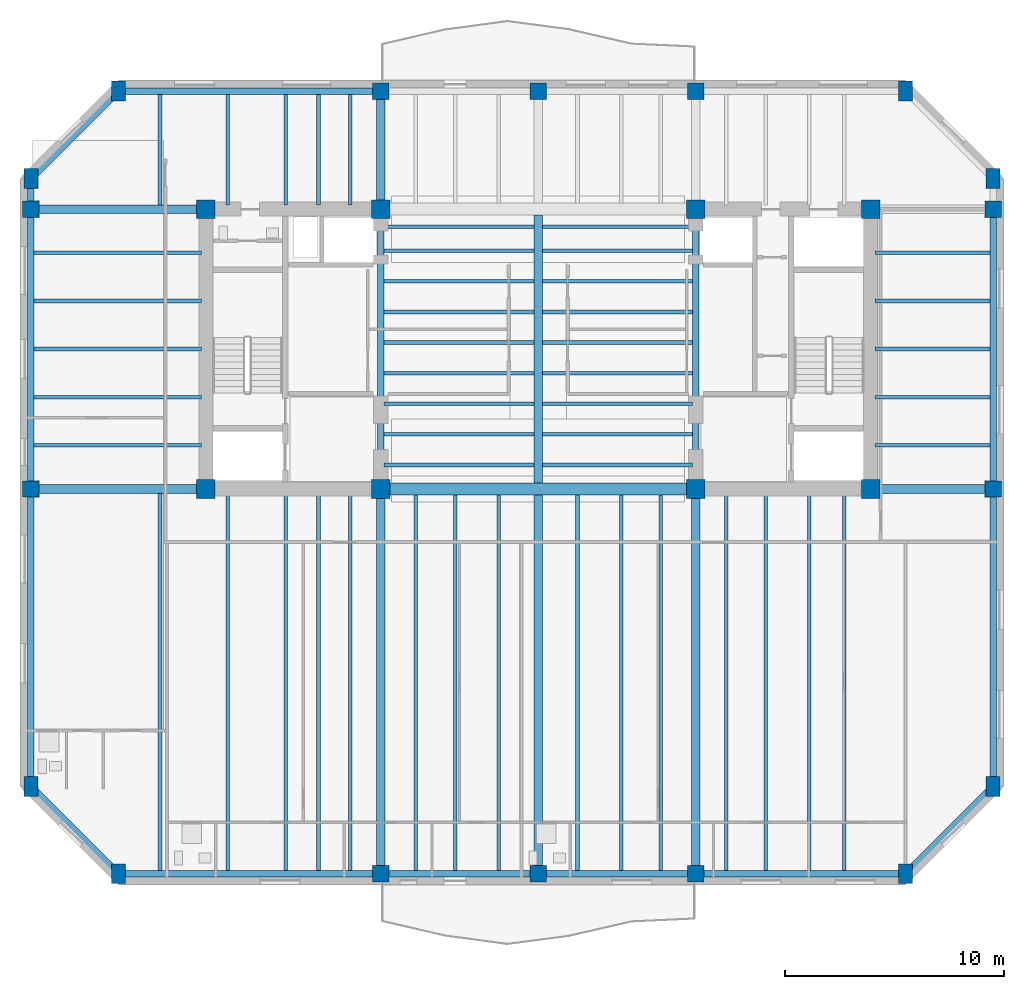
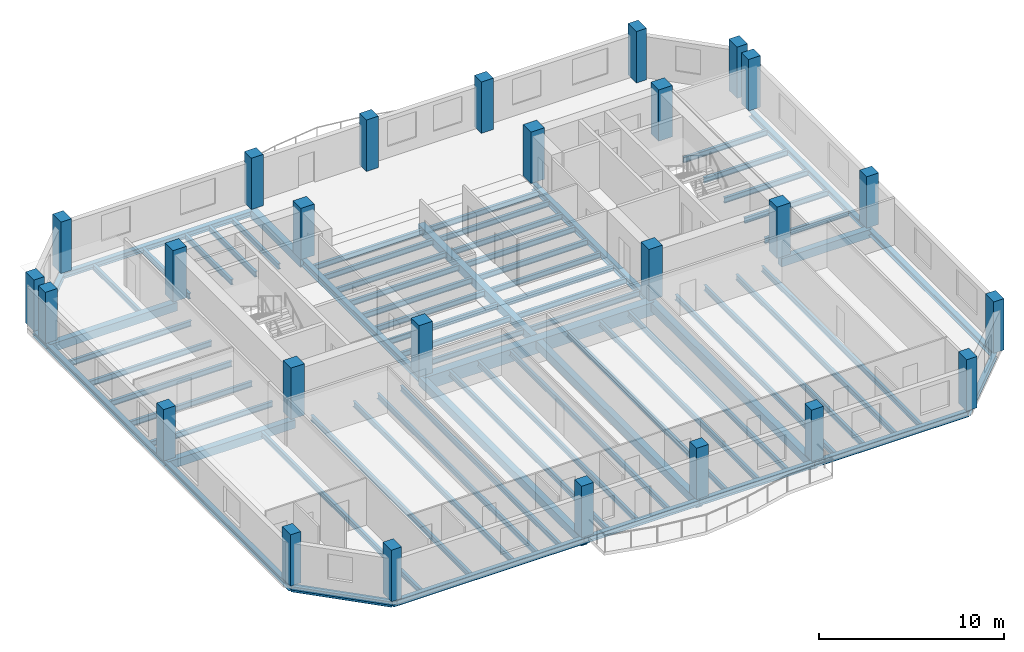
# One storey, part 1 of 11: 72 beams, 26 columns.
"""IFC4 building model written with IfcOpenShell, lengths in metres."""

from ifc_helpers import new_model, si_unit, direction, frame, origin, origin_2d, place, context, subcontext, project, spatial, rectangle, i_section, extrude, material, material_profile, profile_set, type_object, element, save


model = new_model("IFC4")

# Units and contexts
model_context = context("Model", 3, precision=1e-05, world=origin(), true_north=direction((0.0, 1.0)))
body_context = subcontext(model_context, "Body", "Model", "MODEL_VIEW")
ifc_project = project(units=[si_unit("LENGTHUNIT", "METRE"), si_unit("AREAUNIT", "SQUARE_METRE"), si_unit("VOLUMEUNIT", "CUBIC_METRE"), si_unit("PLANEANGLEUNIT", "RADIAN"), si_unit("MASSUNIT", "GRAM", prefix="KILO")], contexts=[model_context])

# Site, building, storey
site_placement = place(None, origin())
site = spatial("IfcSite", under=ifc_project, at=site_placement, CompositionType="ELEMENT")
building_placement = place(site_placement, origin())
building = spatial("IfcBuilding", under=site, at=building_placement, Name="Kranthara Brick Stack", CompositionType="ELEMENT")
storey_placement = place(building_placement, frame((0.0, 0.0, 210.89990234375)))
storey = spatial("IfcBuildingStorey", under=building, at=storey_placement, Name="L54", CompositionType="ELEMENT", Elevation=210.89990234375)

# Columns
ifc_material_1 = material(Name="Concrete C50/60", Category="concrete")
ifc_material_profile_1 = material_profile(ifc_material_1, rectangle(XDim=0.64990234375, YDim=0.89990234375, at=origin_2d()), Name="RC 650x900")
ifc_profile_set_1 = profile_set([ifc_material_profile_1], Name="Concrete C50/60")
column_type_1 = type_object("IfcColumnType", Name="COL-CHAM-650x900", PredefinedType="COLUMN", material=ifc_profile_set_1)
for number, where, z_axis, x_axis, name in (
    (1, (8.800048828125, 3.199951171875, 0.0), (0.0, 0.0, 1.0), (1.0, 0.0, 0.0), "L54 Column 09"),
    (2, (8.800048828125, 39.0, 0.0), (0.0, 0.0, 1.0), (1.0, 0.0, 0.0), "L54 Column 10"),
    (3, (44.800048828125, 3.199951171875, 0.0), (0.0, 0.0, 1.0), (1.0, 0.0, 0.0), "L54 Column 17"),
    (4, (44.800048828125, 39.0, 0.0), (0.0, 0.0, 1.0), (1.0, 0.0, 0.0), "L54 Column 18"),
    (5, (4.800048828125, 7.199951171875, 0.0), (0.0, 0.0, 1.0), (1.0, 0.0, 0.0), "L54 Column 19"),
    (6, (48.800048828125, 7.199951171875, 0.0), (0.0, 0.0, 1.0), (1.0, 0.0, 0.0), "L54 Column 20"),
    (7, (4.800048828125, 35.0, 0.0), (0.0, 0.0, 1.0), (1.0, 0.0, 0.0), "L54 Column 25"),
    (8, (48.800048828125, 35.0, 0.0), (0.0, 0.0, 1.0), (1.0, 0.0, 0.0), "L54 Column 26"),
):
    element("IfcColumn", number, at=place(storey_placement, frame(where, z_axis=z_axis, x_axis=x_axis)), inside=storey, type_object=column_type_1, Name=name, PredefinedType="COLUMN", context=body_context, shape_type="SweptSolid", body=[
        extrude(rectangle(XDim=0.64990234375, YDim=0.89990234375, at=origin_2d()), origin(), (0.0, 0.0, 1.0), 3.400146484375),
    ])
ifc_material_2 = material(Name="Concrete C50/60", Category="concrete")
ifc_material_profile_2 = material_profile(ifc_material_2, rectangle(XDim=0.85009765625, YDim=0.85009765625, at=origin_2d()), Name="RC 850x850")
ifc_profile_set_2 = profile_set([ifc_material_profile_2], Name="Concrete C50/60")
column_type_2 = type_object("IfcColumnType", Name="COL-CORE-850", PredefinedType="COLUMN", material=ifc_profile_set_2)
for number, where, z_axis, x_axis, name in (
    (9, (12.800048828125, 20.800048828125, 0.0), (0.0, 0.0, 1.0), (1.0, 0.0, 0.0), "L54 Column 01"),
    (10, (20.800048828125, 20.800048828125, 0.0), (0.0, 0.0, 1.0), (1.0, 0.0, 0.0), "L54 Column 02"),
    (11, (12.800048828125, 33.60009765625, 0.0), (0.0, 0.0, 1.0), (1.0, 0.0, 0.0), "L54 Column 03"),
    (12, (20.800048828125, 33.60009765625, 0.0), (0.0, 0.0, 1.0), (1.0, 0.0, 0.0), "L54 Column 04"),
    (13, (35.199951171875, 20.800048828125, 0.0), (0.0, 0.0, 1.0), (1.0, 0.0, 0.0), "L54 Column 05"),
    (14, (43.199951171875, 20.800048828125, 0.0), (0.0, 0.0, 1.0), (1.0, 0.0, 0.0), "L54 Column 06"),
    (15, (35.199951171875, 33.60009765625, 0.0), (0.0, 0.0, 1.0), (1.0, 0.0, 0.0), "L54 Column 07"),
    (16, (43.199951171875, 33.60009765625, 0.0), (0.0, 0.0, 1.0), (1.0, 0.0, 0.0), "L54 Column 08"),
):
    element("IfcColumn", number, at=place(storey_placement, frame(where, z_axis=z_axis, x_axis=x_axis)), inside=storey, type_object=column_type_2, Name=name, PredefinedType="COLUMN", context=body_context, shape_type="SweptSolid", body=[
        extrude(rectangle(XDim=0.85009765625, YDim=0.85009765625, at=origin_2d()), origin(), (0.0, 0.0, 1.0), 3.400146484375),
    ])
ifc_material_3 = material(Name="Concrete C50/60", Category="concrete")
ifc_material_profile_3 = material_profile(ifc_material_3, rectangle(XDim=0.75, YDim=0.75, at=origin_2d()), Name="RC 750x750")
ifc_profile_set_3 = profile_set([ifc_material_profile_3], Name="Concrete C50/60")
column_type_3 = type_object("IfcColumnType", Name="COL-PER-750", PredefinedType="COLUMN", material=ifc_profile_set_3)
for number, where, z_axis, x_axis, name in (
    (17, (20.800048828125, 3.199951171875, 0.0), (0.0, 0.0, 1.0), (1.0, 0.0, 0.0), "L54 Column 11"),
    (18, (20.800048828125, 39.0, 0.0), (0.0, 0.0, 1.0), (1.0, 0.0, 0.0), "L54 Column 12"),
    (19, (28.0, 3.199951171875, 0.0), (0.0, 0.0, 1.0), (1.0, 0.0, 0.0), "L54 Column 13"),
    (20, (28.0, 39.0, 0.0), (0.0, 0.0, 1.0), (1.0, 0.0, 0.0), "L54 Column 14"),
    (21, (35.199951171875, 3.199951171875, 0.0), (0.0, 0.0, 1.0), (1.0, 0.0, 0.0), "L54 Column 15"),
    (22, (35.199951171875, 39.0, 0.0), (0.0, 0.0, 1.0), (1.0, 0.0, 0.0), "L54 Column 16"),
    (23, (4.800048828125, 20.800048828125, 0.0), (0.0, 0.0, 1.0), (1.0, 0.0, 0.0), "L54 Column 21"),
    (24, (48.800048828125, 20.800048828125, 0.0), (0.0, 0.0, 1.0), (1.0, 0.0, 0.0), "L54 Column 22"),
    (25, (4.800048828125, 33.60009765625, 0.0), (0.0, 0.0, 1.0), (1.0, 0.0, 0.0), "L54 Column 23"),
    (26, (48.800048828125, 33.60009765625, 0.0), (0.0, 0.0, 1.0), (1.0, 0.0, 0.0), "L54 Column 24"),
):
    element("IfcColumn", number, at=place(storey_placement, frame(where, z_axis=z_axis, x_axis=x_axis)), inside=storey, type_object=column_type_3, Name=name, PredefinedType="COLUMN", context=body_context, shape_type="SweptSolid", body=[
        extrude(rectangle(XDim=0.75, YDim=0.75, at=origin_2d()), origin(), (0.0, 0.0, 1.0), 3.400146484375),
    ])

# Beams
ifc_material_4 = material(Name="Concrete C50/60", Category="concrete")
ifc_material_profile_4 = material_profile(ifc_material_4, rectangle(XDim=0.550048828125, YDim=0.85009765625, at=origin_2d()), Name="RC 550x850")
ifc_profile_set_4 = profile_set([ifc_material_profile_4], Name="Concrete C50/60")
beam_type_1 = type_object("IfcBeamType", Name="BM-CPL-RC850", PredefinedType="LINTEL", material=ifc_profile_set_4)
beam_1_placement = place(storey_placement, frame((20.800048828125, 20.800048828125, -0.724853515625), z_axis=(1.0, 0.0, 0.0), x_axis=(0.0, 1.0, 0.0)))
element("IfcBeam", 27, at=beam_1_placement, inside=storey, type_object=beam_type_1, Name="L54 Core Coupling Beam 001", PredefinedType="LINTEL", context=body_context, shape_type="SweptSolid", body=[
    extrude(rectangle(XDim=0.550048828125, YDim=0.85009765625, at=origin_2d()), origin(), (0.0, 0.0, 1.0), 14.39990234375),
])
ifc_material_5 = material(Name="Post-tensioned concrete C45/55", Category="concrete")
ifc_material_profile_5 = material_profile(ifc_material_5, rectangle(XDim=0.39990234375, YDim=0.550048828125, at=origin_2d()), Name="PT 400x550")
ifc_profile_set_5 = profile_set([ifc_material_profile_5], Name="Post-tensioned concrete C45/55")
beam_type_2 = type_object("IfcBeamType", Name="BM-FLR-PT550", PredefinedType="BEAM", material=ifc_profile_set_5)
beam_2_placement = place(storey_placement, frame((20.800048828125, 3.199951171875, -0.574951171875), z_axis=(0.0, 1.0, 0.0), x_axis=(-1.0, 0.0, 0.0)))
element("IfcBeam", 28, at=beam_2_placement, inside=storey, type_object=beam_type_2, Name="L54 Primary Grid Girder 023", PredefinedType="BEAM", context=body_context, shape_type="SweptSolid", body=[
    extrude(rectangle(XDim=0.39990234375, YDim=0.550048828125, at=origin_2d()), origin(), (0.0, 0.0, 1.0), 17.60009765625),
])
beam_3_placement = place(storey_placement, frame((20.800048828125, 33.60009765625, -0.574951171875), z_axis=(0.0, 1.0, 0.0), x_axis=(-1.0, 0.0, 0.0)))
element("IfcBeam", 29, at=beam_3_placement, inside=storey, type_object=beam_type_2, Name="L54 Primary Grid Girder 024", PredefinedType="BEAM", context=body_context, shape_type="SweptSolid", body=[
    extrude(rectangle(XDim=0.39990234375, YDim=0.550048828125, at=origin_2d()), origin(), (0.0, 0.0, 1.0), 5.39990234375),
])
beam_4_placement = place(storey_placement, frame((28.0, 3.199951171875, -0.574951171875), z_axis=(0.0, 1.0, 0.0), x_axis=(-1.0, 0.0, 0.0)))
element("IfcBeam", 30, at=beam_4_placement, inside=storey, type_object=beam_type_2, Name="L54 Primary Grid Girder 025", PredefinedType="BEAM", context=body_context, shape_type="SweptSolid", body=[
    extrude(rectangle(XDim=0.39990234375, YDim=0.550048828125, at=origin_2d()), origin(), (0.0, 0.0, 1.0), 17.324951171875),
])
beam_5_placement = place(storey_placement, frame((28.0, 21.074951171875, -0.574951171875), z_axis=(0.0, 1.0, 0.0), x_axis=(-1.0, 0.0, 0.0)))
element("IfcBeam", 31, at=beam_5_placement, inside=storey, type_object=beam_type_2, Name="L54 Central Spine Girder 026", PredefinedType="BEAM", context=body_context, shape_type="SweptSolid", body=[
    extrude(rectangle(XDim=0.39990234375, YDim=0.550048828125, at=origin_2d()), origin(), (0.0, 0.0, 1.0), 12.25),
])
beam_6_placement = place(storey_placement, frame((35.199951171875, 3.199951171875, -0.574951171875), z_axis=(0.0, 1.0, 0.0), x_axis=(-1.0, 0.0, 0.0)))
element("IfcBeam", 32, at=beam_6_placement, inside=storey, type_object=beam_type_2, Name="L54 Primary Grid Girder 028", PredefinedType="BEAM", context=body_context, shape_type="SweptSolid", body=[
    extrude(rectangle(XDim=0.39990234375, YDim=0.550048828125, at=origin_2d()), origin(), (0.0, 0.0, 1.0), 17.60009765625),
])
beam_7_placement = place(storey_placement, frame((4.800048828125, 20.800048828125, -0.574951171875), z_axis=(1.0, 0.0, 0.0), x_axis=(0.0, 1.0, 0.0)))
element("IfcBeam", 33, at=beam_7_placement, inside=storey, type_object=beam_type_2, Name="L54 Primary Grid Girder 030", PredefinedType="BEAM", context=body_context, shape_type="SweptSolid", body=[
    extrude(rectangle(XDim=0.39990234375, YDim=0.550048828125, at=origin_2d()), origin(), (0.0, 0.0, 1.0), 8.0),
])
beam_8_placement = place(storey_placement, frame((43.199951171875, 20.800048828125, -0.574951171875), z_axis=(1.0, 0.0, 0.0), x_axis=(0.0, 1.0, 0.0)))
element("IfcBeam", 34, at=beam_8_placement, inside=storey, type_object=beam_type_2, Name="L54 Primary Grid Girder 031", PredefinedType="BEAM", context=body_context, shape_type="SweptSolid", body=[
    extrude(rectangle(XDim=0.39990234375, YDim=0.550048828125, at=origin_2d()), origin(), (0.0, 0.0, 1.0), 5.60009765625),
])
beam_9_placement = place(storey_placement, frame((4.800048828125, 33.60009765625, -0.574951171875), z_axis=(1.0, 0.0, 0.0), x_axis=(0.0, 1.0, 0.0)))
element("IfcBeam", 35, at=beam_9_placement, inside=storey, type_object=beam_type_2, Name="L54 Primary Grid Girder 032", PredefinedType="BEAM", context=body_context, shape_type="SweptSolid", body=[
    extrude(rectangle(XDim=0.39990234375, YDim=0.550048828125, at=origin_2d()), origin(), (0.0, 0.0, 1.0), 8.0),
])
ifc_material_6 = material(Name="Steel S355", Category="steel")
ifc_material_profile_6 = material_profile(ifc_material_6, i_section(OverallWidth=0.169921875, OverallDepth=0.360107421875, WebThickness=0.008056640625, FlangeThickness=0.0126953125, at=origin_2d()), Name="IPE 360")
ifc_profile_set_6 = profile_set([ifc_material_profile_6], Name="Steel S355")
beam_type_3 = type_object("IfcBeamType", Name="BM-JST-IPE360", PredefinedType="JOIST", material=ifc_profile_set_6)
for number, where, z_axis, x_axis, name in (
    (36, (20.949951171875, 21.89990234375, -0.47998046875), (1.0, 0.0, 0.0), (0.0, 1.0, 0.0), "L54 Central Floor Joist 034"),
    (37, (28.199951171875, 21.89990234375, -0.47998046875), (1.0, 0.0, 0.0), (0.0, 1.0, 0.0), "L54 Central Floor Joist 035"),
    (38, (20.949951171875, 23.300048828125, -0.47998046875), (1.0, 0.0, 0.0), (0.0, 1.0, 0.0), "L54 Central Floor Joist 036"),
    (39, (28.199951171875, 23.300048828125, -0.47998046875), (1.0, 0.0, 0.0), (0.0, 1.0, 0.0), "L54 Central Floor Joist 037"),
    (40, (20.949951171875, 24.699951171875, -0.47998046875), (1.0, 0.0, 0.0), (0.0, 1.0, 0.0), "L54 Central Floor Joist 038"),
    (41, (28.199951171875, 24.699951171875, -0.47998046875), (1.0, 0.0, 0.0), (0.0, 1.0, 0.0), "L54 Central Floor Joist 039"),
    (42, (20.949951171875, 26.10009765625, -0.47998046875), (1.0, 0.0, 0.0), (0.0, 1.0, 0.0), "L54 Central Floor Joist 040"),
    (43, (28.199951171875, 26.10009765625, -0.47998046875), (1.0, 0.0, 0.0), (0.0, 1.0, 0.0), "L54 Central Floor Joist 041"),
    (44, (20.949951171875, 27.5, -0.47998046875), (1.0, 0.0, 0.0), (0.0, 1.0, 0.0), "L54 Central Floor Joist 042"),
    (45, (28.199951171875, 27.5, -0.47998046875), (1.0, 0.0, 0.0), (0.0, 1.0, 0.0), "L54 Central Floor Joist 043"),
    (46, (20.949951171875, 28.89990234375, -0.47998046875), (1.0, 0.0, 0.0), (0.0, 1.0, 0.0), "L54 Central Floor Joist 044"),
    (47, (28.199951171875, 28.89990234375, -0.47998046875), (1.0, 0.0, 0.0), (0.0, 1.0, 0.0), "L54 Central Floor Joist 045"),
    (48, (20.949951171875, 30.300048828125, -0.47998046875), (1.0, 0.0, 0.0), (0.0, 1.0, 0.0), "L54 Central Floor Joist 046"),
    (49, (28.199951171875, 30.300048828125, -0.47998046875), (1.0, 0.0, 0.0), (0.0, 1.0, 0.0), "L54 Central Floor Joist 047"),
    (50, (20.949951171875, 31.699951171875, -0.47998046875), (1.0, 0.0, 0.0), (0.0, 1.0, 0.0), "L54 Central Floor Joist 048"),
    (51, (28.199951171875, 31.699951171875, -0.47998046875), (1.0, 0.0, 0.0), (0.0, 1.0, 0.0), "L54 Central Floor Joist 049"),
    (52, (20.949951171875, 32.800048828125, -0.47998046875), (1.0, 0.0, 0.0), (0.0, 1.0, 0.0), "L54 Central Floor Joist 050"),
    (53, (28.199951171875, 32.800048828125, -0.47998046875), (1.0, 0.0, 0.0), (0.0, 1.0, 0.0), "L54 Central Floor Joist 051"),
):
    element("IfcBeam", number, at=place(storey_placement, frame(where, z_axis=z_axis, x_axis=x_axis)), inside=storey, type_object=beam_type_3, Name=name, PredefinedType="JOIST", context=body_context, shape_type="SweptSolid", body=[
        extrude(i_section(OverallWidth=0.169921875, OverallDepth=0.360107421875, WebThickness=0.008056640625, FlangeThickness=0.0126953125, at=origin_2d()), origin(), (0.0, 0.0, 1.0), 6.85009765625),
    ])
beam_10_placement = place(storey_placement, frame((10.699951171875, 3.35009765625, -0.47998046875), z_axis=(0.0, 1.0, 0.0), x_axis=(-1.0, 0.0, 0.0)))
element("IfcBeam", 54, at=beam_10_placement, inside=storey, type_object=beam_type_3, Name="L54 South Wing Floor Joist 052", PredefinedType="JOIST", context=body_context, shape_type="SweptSolid", body=[
    extrude(i_section(OverallWidth=0.169921875, OverallDepth=0.360107421875, WebThickness=0.008056640625, FlangeThickness=0.0126953125, at=origin_2d()), origin(), (0.0, 0.0, 1.0), 17.25),
])
beam_11_placement = place(storey_placement, frame((10.699951171875, 33.800048828125, -0.47998046875), z_axis=(0.0, 1.0, 0.0), x_axis=(-1.0, 0.0, 0.0)))
element("IfcBeam", 55, at=beam_11_placement, inside=storey, type_object=beam_type_3, Name="L54 North Wing Floor Joist 053", PredefinedType="JOIST", context=body_context, shape_type="SweptSolid", body=[
    extrude(i_section(OverallWidth=0.169921875, OverallDepth=0.360107421875, WebThickness=0.008056640625, FlangeThickness=0.0126953125, at=origin_2d()), origin(), (0.0, 0.0, 1.0), 5.050048828125),
])
beam_12_placement = place(storey_placement, frame((13.800048828125, 3.35009765625, -0.47998046875), z_axis=(0.0, 1.0, 0.0), x_axis=(-1.0, 0.0, 0.0)))
element("IfcBeam", 56, at=beam_12_placement, inside=storey, type_object=beam_type_3, Name="L54 South Wing Floor Joist 054", PredefinedType="JOIST", context=body_context, shape_type="SweptSolid", body=[
    extrude(i_section(OverallWidth=0.169921875, OverallDepth=0.360107421875, WebThickness=0.008056640625, FlangeThickness=0.0126953125, at=origin_2d()), origin(), (0.0, 0.0, 1.0), 17.25),
])
beam_13_placement = place(storey_placement, frame((13.800048828125, 33.800048828125, -0.47998046875), z_axis=(0.0, 1.0, 0.0), x_axis=(-1.0, 0.0, 0.0)))
element("IfcBeam", 57, at=beam_13_placement, inside=storey, type_object=beam_type_3, Name="L54 North Wing Floor Joist 055", PredefinedType="JOIST", context=body_context, shape_type="SweptSolid", body=[
    extrude(i_section(OverallWidth=0.169921875, OverallDepth=0.360107421875, WebThickness=0.008056640625, FlangeThickness=0.0126953125, at=origin_2d()), origin(), (0.0, 0.0, 1.0), 5.050048828125),
])
beam_14_placement = place(storey_placement, frame((16.449951171875, 3.35009765625, -0.47998046875), z_axis=(0.0, 1.0, 0.0), x_axis=(-1.0, 0.0, 0.0)))
element("IfcBeam", 58, at=beam_14_placement, inside=storey, type_object=beam_type_3, Name="L54 South Wing Floor Joist 056", PredefinedType="JOIST", context=body_context, shape_type="SweptSolid", body=[
    extrude(i_section(OverallWidth=0.169921875, OverallDepth=0.360107421875, WebThickness=0.008056640625, FlangeThickness=0.0126953125, at=origin_2d()), origin(), (0.0, 0.0, 1.0), 17.25),
])
beam_15_placement = place(storey_placement, frame((16.449951171875, 33.800048828125, -0.47998046875), z_axis=(0.0, 1.0, 0.0), x_axis=(-1.0, 0.0, 0.0)))
element("IfcBeam", 59, at=beam_15_placement, inside=storey, type_object=beam_type_3, Name="L54 North Wing Floor Joist 057", PredefinedType="JOIST", context=body_context, shape_type="SweptSolid", body=[
    extrude(i_section(OverallWidth=0.169921875, OverallDepth=0.360107421875, WebThickness=0.008056640625, FlangeThickness=0.0126953125, at=origin_2d()), origin(), (0.0, 0.0, 1.0), 5.050048828125),
])
beam_16_placement = place(storey_placement, frame((17.949951171875, 3.35009765625, -0.47998046875), z_axis=(0.0, 1.0, 0.0), x_axis=(-1.0, 0.0, 0.0)))
element("IfcBeam", 60, at=beam_16_placement, inside=storey, type_object=beam_type_3, Name="L54 South Wing Floor Joist 058", PredefinedType="JOIST", context=body_context, shape_type="SweptSolid", body=[
    extrude(i_section(OverallWidth=0.169921875, OverallDepth=0.360107421875, WebThickness=0.008056640625, FlangeThickness=0.0126953125, at=origin_2d()), origin(), (0.0, 0.0, 1.0), 17.25),
])
beam_17_placement = place(storey_placement, frame((17.949951171875, 33.800048828125, -0.47998046875), z_axis=(0.0, 1.0, 0.0), x_axis=(-1.0, 0.0, 0.0)))
element("IfcBeam", 61, at=beam_17_placement, inside=storey, type_object=beam_type_3, Name="L54 North Wing Floor Joist 059", PredefinedType="JOIST", context=body_context, shape_type="SweptSolid", body=[
    extrude(i_section(OverallWidth=0.169921875, OverallDepth=0.360107421875, WebThickness=0.008056640625, FlangeThickness=0.0126953125, at=origin_2d()), origin(), (0.0, 0.0, 1.0), 5.050048828125),
])
beam_18_placement = place(storey_placement, frame((19.39990234375, 3.35009765625, -0.47998046875), z_axis=(0.0, 1.0, 0.0), x_axis=(-1.0, 0.0, 0.0)))
element("IfcBeam", 62, at=beam_18_placement, inside=storey, type_object=beam_type_3, Name="L54 South Wing Floor Joist 060", PredefinedType="JOIST", context=body_context, shape_type="SweptSolid", body=[
    extrude(i_section(OverallWidth=0.169921875, OverallDepth=0.360107421875, WebThickness=0.008056640625, FlangeThickness=0.0126953125, at=origin_2d()), origin(), (0.0, 0.0, 1.0), 17.25),
])
beam_19_placement = place(storey_placement, frame((19.39990234375, 33.800048828125, -0.47998046875), z_axis=(0.0, 1.0, 0.0), x_axis=(-1.0, 0.0, 0.0)))
element("IfcBeam", 63, at=beam_19_placement, inside=storey, type_object=beam_type_3, Name="L54 North Wing Floor Joist 061", PredefinedType="JOIST", context=body_context, shape_type="SweptSolid", body=[
    extrude(i_section(OverallWidth=0.169921875, OverallDepth=0.360107421875, WebThickness=0.008056640625, FlangeThickness=0.0126953125, at=origin_2d()), origin(), (0.0, 0.0, 1.0), 5.050048828125),
])
for number, where, z_axis, x_axis, name in (
    (64, (22.39990234375, 3.35009765625, -0.47998046875), (0.0, 1.0, 0.0), (-1.0, 0.0, 0.0), "L54 South Wing Floor Joist 062"),
    (65, (24.199951171875, 3.35009765625, -0.47998046875), (0.0, 1.0, 0.0), (-1.0, 0.0, 0.0), "L54 South Wing Floor Joist 064"),
    (66, (26.199951171875, 3.35009765625, -0.47998046875), (0.0, 1.0, 0.0), (-1.0, 0.0, 0.0), "L54 South Wing Floor Joist 066"),
    (67, (29.800048828125, 3.35009765625, -0.47998046875), (0.0, 1.0, 0.0), (-1.0, 0.0, 0.0), "L54 South Wing Floor Joist 068"),
    (68, (31.800048828125, 3.35009765625, -0.47998046875), (0.0, 1.0, 0.0), (-1.0, 0.0, 0.0), "L54 South Wing Floor Joist 070"),
    (69, (33.60009765625, 3.35009765625, -0.47998046875), (0.0, 1.0, 0.0), (-1.0, 0.0, 0.0), "L54 South Wing Floor Joist 072"),
):
    element("IfcBeam", number, at=place(storey_placement, frame(where, z_axis=z_axis, x_axis=x_axis)), inside=storey, type_object=beam_type_3, Name=name, PredefinedType="JOIST", context=body_context, shape_type="SweptSolid", body=[
        extrude(i_section(OverallWidth=0.169921875, OverallDepth=0.360107421875, WebThickness=0.008056640625, FlangeThickness=0.0126953125, at=origin_2d()), origin(), (0.0, 0.0, 1.0), 17.1748046875),
    ])
for number, where, z_axis, x_axis, name in (
    (70, (36.60009765625, 3.35009765625, -0.47998046875), (0.0, 1.0, 0.0), (-1.0, 0.0, 0.0), "L54 South Wing Floor Joist 074"),
    (71, (38.39990234375, 3.35009765625, -0.47998046875), (0.0, 1.0, 0.0), (-1.0, 0.0, 0.0), "L54 South Wing Floor Joist 076"),
    (72, (40.39990234375, 3.35009765625, -0.47998046875), (0.0, 1.0, 0.0), (-1.0, 0.0, 0.0), "L54 South Wing Floor Joist 078"),
    (73, (42.0, 3.35009765625, -0.47998046875), (0.0, 1.0, 0.0), (-1.0, 0.0, 0.0), "L54 South Wing Floor Joist 080"),
):
    element("IfcBeam", number, at=place(storey_placement, frame(where, z_axis=z_axis, x_axis=x_axis)), inside=storey, type_object=beam_type_3, Name=name, PredefinedType="JOIST", context=body_context, shape_type="SweptSolid", body=[
        extrude(i_section(OverallWidth=0.169921875, OverallDepth=0.360107421875, WebThickness=0.008056640625, FlangeThickness=0.0126953125, at=origin_2d()), origin(), (0.0, 0.0, 1.0), 17.25),
    ])
beam_20_placement = place(storey_placement, frame((4.949951171875, 22.800048828125, -0.47998046875), z_axis=(1.0, 0.0, 0.0), x_axis=(0.0, 1.0, 0.0)))
element("IfcBeam", 74, at=beam_20_placement, inside=storey, type_object=beam_type_3, Name="L54 West Wing Floor Joist 082", PredefinedType="JOIST", context=body_context, shape_type="SweptSolid", body=[
    extrude(i_section(OverallWidth=0.169921875, OverallDepth=0.360107421875, WebThickness=0.008056640625, FlangeThickness=0.0126953125, at=origin_2d()), origin(), (0.0, 0.0, 1.0), 7.650146484375),
])
beam_21_placement = place(storey_placement, frame((43.39990234375, 22.800048828125, -0.47998046875), z_axis=(1.0, 0.0, 0.0), x_axis=(0.0, 1.0, 0.0)))
element("IfcBeam", 75, at=beam_21_placement, inside=storey, type_object=beam_type_3, Name="L54 East Wing Floor Joist 083", PredefinedType="JOIST", context=body_context, shape_type="SweptSolid", body=[
    extrude(i_section(OverallWidth=0.169921875, OverallDepth=0.360107421875, WebThickness=0.008056640625, FlangeThickness=0.0126953125, at=origin_2d()), origin(), (0.0, 0.0, 1.0), 5.25),
])
beam_22_placement = place(storey_placement, frame((4.949951171875, 25.0, -0.47998046875), z_axis=(1.0, 0.0, 0.0), x_axis=(0.0, 1.0, 0.0)))
element("IfcBeam", 76, at=beam_22_placement, inside=storey, type_object=beam_type_3, Name="L54 West Wing Floor Joist 084", PredefinedType="JOIST", context=body_context, shape_type="SweptSolid", body=[
    extrude(i_section(OverallWidth=0.169921875, OverallDepth=0.360107421875, WebThickness=0.008056640625, FlangeThickness=0.0126953125, at=origin_2d()), origin(), (0.0, 0.0, 1.0), 7.650146484375),
])
beam_23_placement = place(storey_placement, frame((43.39990234375, 25.0, -0.47998046875), z_axis=(1.0, 0.0, 0.0), x_axis=(0.0, 1.0, 0.0)))
element("IfcBeam", 77, at=beam_23_placement, inside=storey, type_object=beam_type_3, Name="L54 East Wing Floor Joist 085", PredefinedType="JOIST", context=body_context, shape_type="SweptSolid", body=[
    extrude(i_section(OverallWidth=0.169921875, OverallDepth=0.360107421875, WebThickness=0.008056640625, FlangeThickness=0.0126953125, at=origin_2d()), origin(), (0.0, 0.0, 1.0), 5.25),
])
beam_24_placement = place(storey_placement, frame((4.949951171875, 27.199951171875, -0.47998046875), z_axis=(1.0, 0.0, 0.0), x_axis=(0.0, 1.0, 0.0)))
element("IfcBeam", 78, at=beam_24_placement, inside=storey, type_object=beam_type_3, Name="L54 West Wing Floor Joist 086", PredefinedType="JOIST", context=body_context, shape_type="SweptSolid", body=[
    extrude(i_section(OverallWidth=0.169921875, OverallDepth=0.360107421875, WebThickness=0.008056640625, FlangeThickness=0.0126953125, at=origin_2d()), origin(), (0.0, 0.0, 1.0), 7.650146484375),
])
beam_25_placement = place(storey_placement, frame((43.39990234375, 27.199951171875, -0.47998046875), z_axis=(1.0, 0.0, 0.0), x_axis=(0.0, 1.0, 0.0)))
element("IfcBeam", 79, at=beam_25_placement, inside=storey, type_object=beam_type_3, Name="L54 East Wing Floor Joist 087", PredefinedType="JOIST", context=body_context, shape_type="SweptSolid", body=[
    extrude(i_section(OverallWidth=0.169921875, OverallDepth=0.360107421875, WebThickness=0.008056640625, FlangeThickness=0.0126953125, at=origin_2d()), origin(), (0.0, 0.0, 1.0), 5.25),
])
beam_26_placement = place(storey_placement, frame((4.949951171875, 29.39990234375, -0.47998046875), z_axis=(1.0, 0.0, 0.0), x_axis=(0.0, 1.0, 0.0)))
element("IfcBeam", 80, at=beam_26_placement, inside=storey, type_object=beam_type_3, Name="L54 West Wing Floor Joist 088", PredefinedType="JOIST", context=body_context, shape_type="SweptSolid", body=[
    extrude(i_section(OverallWidth=0.169921875, OverallDepth=0.360107421875, WebThickness=0.008056640625, FlangeThickness=0.0126953125, at=origin_2d()), origin(), (0.0, 0.0, 1.0), 7.650146484375),
])
beam_27_placement = place(storey_placement, frame((43.39990234375, 29.39990234375, -0.47998046875), z_axis=(1.0, 0.0, 0.0), x_axis=(0.0, 1.0, 0.0)))
element("IfcBeam", 81, at=beam_27_placement, inside=storey, type_object=beam_type_3, Name="L54 East Wing Floor Joist 089", PredefinedType="JOIST", context=body_context, shape_type="SweptSolid", body=[
    extrude(i_section(OverallWidth=0.169921875, OverallDepth=0.360107421875, WebThickness=0.008056640625, FlangeThickness=0.0126953125, at=origin_2d()), origin(), (0.0, 0.0, 1.0), 5.25),
])
beam_28_placement = place(storey_placement, frame((4.949951171875, 31.60009765625, -0.47998046875), z_axis=(1.0, 0.0, 0.0), x_axis=(0.0, 1.0, 0.0)))
element("IfcBeam", 82, at=beam_28_placement, inside=storey, type_object=beam_type_3, Name="L54 West Wing Floor Joist 090", PredefinedType="JOIST", context=body_context, shape_type="SweptSolid", body=[
    extrude(i_section(OverallWidth=0.169921875, OverallDepth=0.360107421875, WebThickness=0.008056640625, FlangeThickness=0.0126953125, at=origin_2d()), origin(), (0.0, 0.0, 1.0), 7.650146484375),
])
beam_29_placement = place(storey_placement, frame((43.39990234375, 31.60009765625, -0.47998046875), z_axis=(1.0, 0.0, 0.0), x_axis=(0.0, 1.0, 0.0)))
element("IfcBeam", 83, at=beam_29_placement, inside=storey, type_object=beam_type_3, Name="L54 East Wing Floor Joist 091", PredefinedType="JOIST", context=body_context, shape_type="SweptSolid", body=[
    extrude(i_section(OverallWidth=0.169921875, OverallDepth=0.360107421875, WebThickness=0.008056640625, FlangeThickness=0.0126953125, at=origin_2d()), origin(), (0.0, 0.0, 1.0), 5.25),
])
ifc_material_7 = material(Name="Steel S355", Category="steel")
ifc_material_profile_7 = material_profile(ifc_material_7, i_section(OverallWidth=0.300048828125, OverallDepth=0.360107421875, WebThickness=0.012451171875, FlangeThickness=0.0224609375, at=origin_2d()), Name="HEB 360")
ifc_profile_set_7 = profile_set([ifc_material_profile_7], Name="Steel S355")
beam_type_4 = type_object("IfcBeamType", Name="BM-STL-HEB360", PredefinedType="SPANDREL", material=ifc_profile_set_7)
beam_30_placement = place(storey_placement, frame((8.800048828125, 3.199951171875, -0.47998046875), z_axis=(1.0, 0.0, 0.0), x_axis=(0.0, 1.0, 0.0)))
element("IfcBeam", 84, at=beam_30_placement, inside=storey, type_object=beam_type_4, Name="L54 Perimeter Spandrel Beam 005", PredefinedType="SPANDREL", context=body_context, shape_type="SweptSolid", body=[
    extrude(i_section(OverallWidth=0.300048828125, OverallDepth=0.360107421875, WebThickness=0.012451171875, FlangeThickness=0.0224609375, at=origin_2d()), origin(), (0.0, 0.0, 1.0), 12.0),
])
for number, where, z_axis, x_axis, name in (
    (85, (20.800048828125, 3.199951171875, -0.47998046875), (1.0, 0.0, 0.0), (0.0, 1.0, 0.0), "L54 Perimeter Spandrel Beam 006"),
    (86, (28.0, 3.199951171875, -0.47998046875), (1.0, 0.0, 0.0), (0.0, 1.0, 0.0), "L54 Perimeter Spandrel Beam 007"),
):
    element("IfcBeam", number, at=place(storey_placement, frame(where, z_axis=z_axis, x_axis=x_axis)), inside=storey, type_object=beam_type_4, Name=name, PredefinedType="SPANDREL", context=body_context, shape_type="SweptSolid", body=[
        extrude(i_section(OverallWidth=0.300048828125, OverallDepth=0.360107421875, WebThickness=0.012451171875, FlangeThickness=0.0224609375, at=origin_2d()), origin(), (0.0, 0.0, 1.0), 7.199951171875),
    ])
beam_31_placement = place(storey_placement, frame((35.199951171875, 3.199951171875, -0.47998046875), z_axis=(1.0, 0.0, 0.0), x_axis=(0.0, 1.0, 0.0)))
element("IfcBeam", 87, at=beam_31_placement, inside=storey, type_object=beam_type_4, Name="L54 Perimeter Spandrel Beam 008", PredefinedType="SPANDREL", context=body_context, shape_type="SweptSolid", body=[
    extrude(i_section(OverallWidth=0.300048828125, OverallDepth=0.360107421875, WebThickness=0.012451171875, FlangeThickness=0.0224609375, at=origin_2d()), origin(), (0.0, 0.0, 1.0), 9.60009765625),
])
beam_32_placement = place(storey_placement, frame((8.800048828125, 39.0, -0.47998046875), z_axis=(1.0, 0.0, 0.0), x_axis=(0.0, 1.0, 0.0)))
element("IfcBeam", 88, at=beam_32_placement, inside=storey, type_object=beam_type_4, Name="L54 Perimeter Spandrel Beam 009", PredefinedType="SPANDREL", context=body_context, shape_type="SweptSolid", body=[
    extrude(i_section(OverallWidth=0.300048828125, OverallDepth=0.360107421875, WebThickness=0.012451171875, FlangeThickness=0.0224609375, at=origin_2d()), origin(), (0.0, 0.0, 1.0), 12.0),
])
beam_33_placement = place(storey_placement, frame((4.800048828125, 7.199951171875, -0.47998046875), z_axis=(0.0, 1.0, 0.0), x_axis=(-1.0, 0.0, 0.0)))
element("IfcBeam", 89, at=beam_33_placement, inside=storey, type_object=beam_type_4, Name="L54 Perimeter Spandrel Beam 013", PredefinedType="SPANDREL", context=body_context, shape_type="SweptSolid", body=[
    extrude(i_section(OverallWidth=0.300048828125, OverallDepth=0.360107421875, WebThickness=0.012451171875, FlangeThickness=0.0224609375, at=origin_2d()), origin(), (0.0, 0.0, 1.0), 13.60009765625),
])
beam_34_placement = place(storey_placement, frame((4.800048828125, 20.800048828125, -0.47998046875), z_axis=(0.0, 1.0, 0.0), x_axis=(-1.0, 0.0, 0.0)))
element("IfcBeam", 90, at=beam_34_placement, inside=storey, type_object=beam_type_4, Name="L54 Perimeter Spandrel Beam 014", PredefinedType="SPANDREL", context=body_context, shape_type="SweptSolid", body=[
    extrude(i_section(OverallWidth=0.300048828125, OverallDepth=0.360107421875, WebThickness=0.012451171875, FlangeThickness=0.0224609375, at=origin_2d()), origin(), (0.0, 0.0, 1.0), 12.800048828125),
])
beam_35_placement = place(storey_placement, frame((4.800048828125, 33.60009765625, -0.47998046875), z_axis=(0.0, 1.0, 0.0), x_axis=(-1.0, 0.0, 0.0)))
element("IfcBeam", 91, at=beam_35_placement, inside=storey, type_object=beam_type_4, Name="L54 Perimeter Spandrel Beam 015", PredefinedType="SPANDREL", context=body_context, shape_type="SweptSolid", body=[
    extrude(i_section(OverallWidth=0.300048828125, OverallDepth=0.360107421875, WebThickness=0.012451171875, FlangeThickness=0.0224609375, at=origin_2d()), origin(), (0.0, 0.0, 1.0), 1.39990234375),
])
beam_36_placement = place(storey_placement, frame((48.800048828125, 7.199951171875, -0.47998046875), z_axis=(0.0, 1.0, 0.0), x_axis=(-1.0, 0.0, 0.0)))
element("IfcBeam", 92, at=beam_36_placement, inside=storey, type_object=beam_type_4, Name="L54 Perimeter Spandrel Beam 016", PredefinedType="SPANDREL", context=body_context, shape_type="SweptSolid", body=[
    extrude(i_section(OverallWidth=0.300048828125, OverallDepth=0.360107421875, WebThickness=0.012451171875, FlangeThickness=0.0224609375, at=origin_2d()), origin(), (0.0, 0.0, 1.0), 13.60009765625),
])
beam_37_placement = place(storey_placement, frame((48.800048828125, 20.800048828125, -0.47998046875), z_axis=(0.0, 1.0, 0.0), x_axis=(-1.0, 0.0, 0.0)))
element("IfcBeam", 93, at=beam_37_placement, inside=storey, type_object=beam_type_4, Name="L54 Perimeter Spandrel Beam 017", PredefinedType="SPANDREL", context=body_context, shape_type="SweptSolid", body=[
    extrude(i_section(OverallWidth=0.300048828125, OverallDepth=0.360107421875, WebThickness=0.012451171875, FlangeThickness=0.0224609375, at=origin_2d()), origin(), (0.0, 0.0, 1.0), 12.800048828125),
])
for number, where, z_axis, x_axis, name in (
    (94, (8.800048828125, 3.199951171875, -0.47998046875), (-0.707106781187, 0.707106781187, 0.0), (-0.707106781187, -0.707106781187, 0.0), "L54 Chamfer Corner Spandrel 019"),
    (95, (44.800048828125, 3.199951171875, -0.47998046875), (0.707106781187, 0.707106781187, 0.0), (-0.707106781187, 0.707106781187, 0.0), "L54 Chamfer Corner Spandrel 020"),
    (96, (8.800048828125, 39.0, -0.47998046875), (-0.707106781187, -0.707106781187, 0.0), (0.707106781187, -0.707106781187, 0.0), "L54 Chamfer Corner Spandrel 021"),
):
    element("IfcBeam", number, at=place(storey_placement, frame(where, z_axis=z_axis, x_axis=x_axis)), inside=storey, type_object=beam_type_4, Name=name, PredefinedType="SPANDREL", context=body_context, shape_type="SweptSolid", body=[
        extrude(i_section(OverallWidth=0.300048828125, OverallDepth=0.360107421875, WebThickness=0.012451171875, FlangeThickness=0.0224609375, at=origin_2d()), origin(), (0.0, 0.0, 1.0), 5.65673828125),
    ])
ifc_material_8 = material(Name="Steel S355", Category="steel")
ifc_material_profile_8 = material_profile(ifc_material_8, i_section(OverallWidth=0.300048828125, OverallDepth=0.449951171875, WebThickness=0.013916015625, FlangeThickness=0.02587890625, at=origin_2d()), Name="HEB 450")
ifc_profile_set_8 = profile_set([ifc_material_profile_8], Name="Steel S355")
beam_type_5 = type_object("IfcBeamType", Name="BM-STL-HEB450", PredefinedType="SPANDREL", material=ifc_profile_set_8)
for number, where, z_axis, x_axis, name in (
    (97, (20.800048828125, 20.800048828125, -0.52490234375), (0.0, 1.0, 0.0), (-1.0, 0.0, 0.0), "L54 Core Edge Tie Beam 003"),
    (98, (35.199951171875, 20.800048828125, -0.52490234375), (0.0, 1.0, 0.0), (-1.0, 0.0, 0.0), "L54 Core Edge Tie Beam 004"),
):
    element("IfcBeam", number, at=place(storey_placement, frame(where, z_axis=z_axis, x_axis=x_axis)), inside=storey, type_object=beam_type_5, Name=name, PredefinedType="SPANDREL", context=body_context, shape_type="SweptSolid", body=[
        extrude(i_section(OverallWidth=0.300048828125, OverallDepth=0.449951171875, WebThickness=0.013916015625, FlangeThickness=0.02587890625, at=origin_2d()), origin(), (0.0, 0.0, 1.0), 12.800048828125),
    ])

save(model, "model.ifc")
